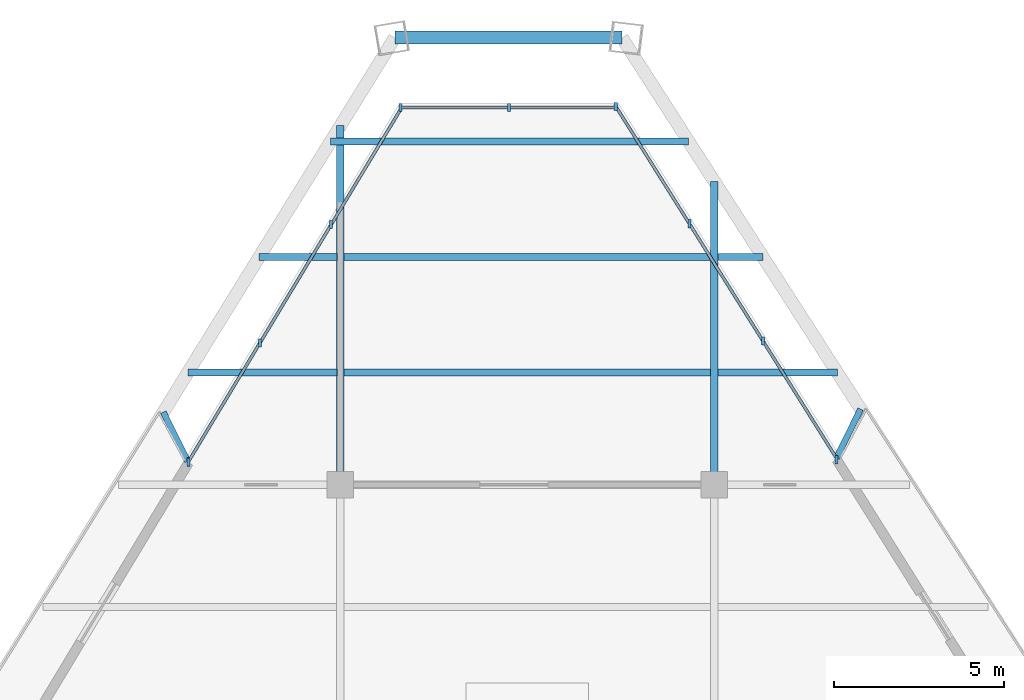
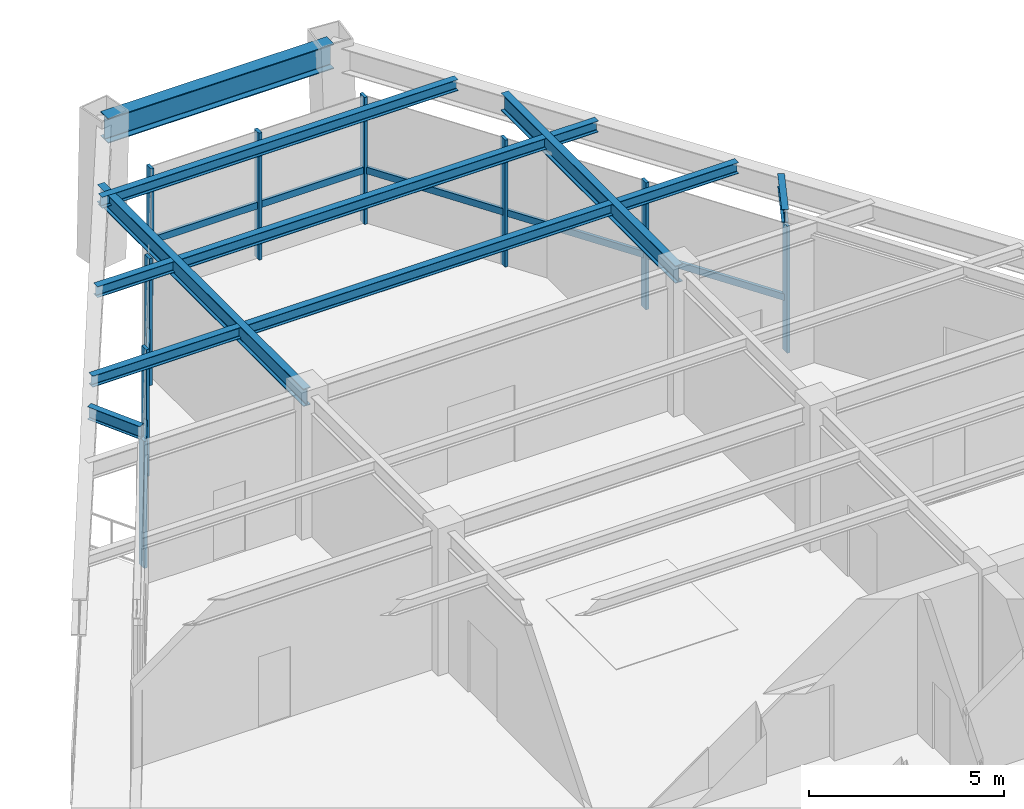
# One storey, part 5 of 11: 18 members, 12 beams, 3 elements without a shape of their own.
"""IFC4 building model written with IfcOpenShell, lengths in metres."""

from ifc_helpers import new_model, si_unit, direction, frame, origin, origin_2d, place, context, subcontext, project, spatial, rectangle, i_section, extrude, source, transform, mapped, material, material_profile, profile_set, type_object, element, aggregate, save


model = new_model("IFC4")

# Units and contexts
model_context = context("Model", 3, precision=1e-05, world=origin(), true_north=direction((0.0, 1.0)))
body_context = subcontext(model_context, "Body", "Model", "MODEL_VIEW")
ifc_project = project(units=[si_unit("LENGTHUNIT", "METRE"), si_unit("AREAUNIT", "SQUARE_METRE"), si_unit("VOLUMEUNIT", "CUBIC_METRE"), si_unit("PLANEANGLEUNIT", "RADIAN"), si_unit("MASSUNIT", "GRAM", prefix="KILO")], contexts=[model_context])

# Site, building, storey
site_placement = place(None, origin())
site = spatial("IfcSite", under=ifc_project, at=site_placement, CompositionType="ELEMENT")
building_placement = place(site_placement, origin())
building = spatial("IfcBuilding", under=site, at=building_placement, Name="Varnakhor Terracotta Tower", CompositionType="ELEMENT")
storey_placement = place(building_placement, frame((0.0, 0.0, 215.39990234375)))
storey = spatial("IfcBuildingStorey", under=building, at=storey_placement, Name="L55", CompositionType="ELEMENT", Elevation=215.39990234375)

# Beams
ifc_material_1 = material(Name="Steel S355", Category="steel")
ifc_material_profile_1 = material_profile(ifc_material_1, i_section(OverallWidth=0.381103515625, OverallDepth=0.77294921875, WebThickness=0.01708984375, FlangeThickness=0.027099609375, FilletRadius=0.01806640625, at=origin_2d()), Name="W30X173")
ifc_profile_set_1 = profile_set([ifc_material_profile_1], Name="Steel S355")
beam_type_1 = type_object("IfcBeamType", Name="BM-W30X173", PredefinedType="BEAM", material=ifc_profile_set_1)
shared_shape_1 = source(origin(), body_context, "Body", "SweptSolid", [
    extrude(i_section(OverallWidth=0.381103515625, OverallDepth=0.77294921875, WebThickness=0.01708984375, FlangeThickness=0.027099609375, FilletRadius=0.01806640625, at=origin_2d()), origin(), (0.0, 0.0, 1.0), 6.681884765625),
])
beam_1_placement = place(storey_placement, frame((2.783203125, 44.65478515625, 4.003662109375), z_axis=(-1.0, 0.0, 0.0), x_axis=(0.0, -1.0, 0.0)))
element("IfcBeam", 1, at=beam_1_placement, inside=storey, type_object=beam_type_1, Name="L55 Perimeter Spandrel 5", PredefinedType="BEAM", context=body_context, shape_type="MappedRepresentation", body=[
    mapped(shared_shape_1, transform((0.0, 0.0, 0.0), scale=1.0)),
])
ifc_material_profile_2 = material_profile(ifc_material_1, i_section(OverallWidth=0.214111328125, OverallDepth=0.549072265625, WebThickness=0.014892578125, FlangeThickness=0.02392578125, FilletRadius=0.01806640625, at=origin_2d()), Name="W21X93")
ifc_profile_set_2 = profile_set([ifc_material_profile_2], Name="Steel S355")
beam_type_2 = type_object("IfcBeamType", Name="BM-W21X93", PredefinedType="BEAM", material=ifc_profile_set_2)
shared_shape_2 = source(origin(), body_context, "Body", "SweptSolid", [
    extrude(i_section(OverallWidth=0.214111328125, OverallDepth=0.549072265625, WebThickness=0.014892578125, FlangeThickness=0.02392578125, FilletRadius=0.01806640625, at=origin_2d()), origin(), (0.0, 0.0, 1.0), 10.56396484375),
])
beam_2_placement = place(storey_placement, frame((-5.5, 31.5, 4.115478515625), z_axis=(0.0, 1.0, 0.0), x_axis=(-1.0, 0.0, 0.0)))
element("IfcBeam", 2, at=beam_2_placement, inside=storey, type_object=beam_type_2, Name="L55 Primary Girder NS3-W", PredefinedType="BEAM", context=body_context, shape_type="MappedRepresentation", body=[
    mapped(shared_shape_2, transform((0.0, 0.0, 0.0), scale=1.0)),
])
shared_shape_3 = source(origin(), body_context, "Body", "SweptSolid", [
    extrude(i_section(OverallWidth=0.214111328125, OverallDepth=0.549072265625, WebThickness=0.014892578125, FlangeThickness=0.02392578125, FilletRadius=0.01806640625, at=origin_2d()), origin(), (0.0, 0.0, 1.0), 8.929443359375),
])
beam_3_placement = place(storey_placement, frame((5.5, 31.5, 4.115478515625), z_axis=(0.0, 1.0, 0.0), x_axis=(-1.0, 0.0, 0.0)))
element("IfcBeam", 3, at=beam_3_placement, inside=storey, type_object=beam_type_2, Name="L55 Primary Girder NS3-E", PredefinedType="BEAM", context=body_context, shape_type="MappedRepresentation", body=[
    mapped(shared_shape_3, transform((0.0, 0.0, 0.0), scale=1.0)),
])
ifc_material_profile_3 = material_profile(ifc_material_1, i_section(OverallWidth=0.202880859375, OverallDepth=0.346923828125, WebThickness=0.0078125, FlangeThickness=0.013427734375, FilletRadius=0.01806640625, at=origin_2d()), Name="W14X43")
ifc_profile_set_3 = profile_set([ifc_material_profile_3], Name="Steel S355")
beam_type_3 = type_object("IfcBeamType", Name="JST-W14X43", PredefinedType="JOIST", material=ifc_profile_set_3)
shared_shape_4 = source(origin(), body_context, "Body", "SweptSolid", [
    extrude(i_section(OverallWidth=0.202880859375, OverallDepth=0.346923828125, WebThickness=0.0078125, FlangeThickness=0.013427734375, FilletRadius=0.01806640625, at=origin_2d()), origin(), (0.0, 0.0, 1.0), 10.7939453125),
])
for number, where, z_axis, x_axis, name in (
    (4, (-5.39697265625, 34.800048828125, 4.216552734375), (1.0, 0.0, 0.0), (0.0, 1.0, 0.0), "L55 Composite Floor Joist 7-2"),
    (5, (-5.39697265625, 38.199951171875, 4.216552734375), (1.0, 0.0, 0.0), (0.0, 1.0, 0.0), "L55 Composite Floor Joist 8-2"),
):
    element("IfcBeam", number, at=place(storey_placement, frame(where, z_axis=z_axis, x_axis=x_axis)), inside=storey, type_object=beam_type_3, Name=name, PredefinedType="JOIST", context=body_context, shape_type="MappedRepresentation", body=[
        mapped(shared_shape_4, transform((0.0, 0.0, 0.0), scale=1.0)),
    ])
shared_shape_5 = source(origin(), body_context, "Body", "SweptSolid", [
    extrude(i_section(OverallWidth=0.202880859375, OverallDepth=0.346923828125, WebThickness=0.0078125, FlangeThickness=0.013427734375, FilletRadius=0.01806640625, at=origin_2d()), origin(), (0.0, 0.0, 1.0), 4.38623046875),
])
beam_4_placement = place(storey_placement, frame((-9.9892578125, 34.800048828125, 4.216552734375), z_axis=(1.0, 0.0, 0.0), x_axis=(0.0, 1.0, 0.0)))
element("IfcBeam", 6, at=beam_4_placement, inside=storey, type_object=beam_type_3, Name="L55 Composite Floor Joist 7-1", PredefinedType="JOIST", context=body_context, shape_type="MappedRepresentation", body=[
    mapped(shared_shape_5, transform((0.0, 0.0, 0.0), scale=1.0)),
])
shared_shape_6 = source(origin(), body_context, "Body", "SweptSolid", [
    extrude(i_section(OverallWidth=0.202880859375, OverallDepth=0.346923828125, WebThickness=0.0078125, FlangeThickness=0.013427734375, FilletRadius=0.01806640625, at=origin_2d()), origin(), (0.0, 0.0, 1.0), 3.5166015625),
])
beam_5_placement = place(storey_placement, frame((5.60302734375, 34.800048828125, 4.216552734375), z_axis=(1.0, 0.0, 0.0), x_axis=(0.0, 1.0, 0.0)))
element("IfcBeam", 7, at=beam_5_placement, inside=storey, type_object=beam_type_3, Name="L55 Composite Floor Joist 7-3", PredefinedType="JOIST", context=body_context, shape_type="MappedRepresentation", body=[
    mapped(shared_shape_6, transform((0.0, 0.0, 0.0), scale=1.0)),
])
shared_shape_7 = source(origin(), body_context, "Body", "SweptSolid", [
    extrude(i_section(OverallWidth=0.202880859375, OverallDepth=0.346923828125, WebThickness=0.0078125, FlangeThickness=0.013427734375, FilletRadius=0.01806640625, at=origin_2d()), origin(), (0.0, 0.0, 1.0), 2.284912109375),
])
beam_6_placement = place(storey_placement, frame((-7.887939453125, 38.199951171875, 4.216552734375), z_axis=(1.0, 0.0, 0.0), x_axis=(0.0, 1.0, 0.0)))
element("IfcBeam", 8, at=beam_6_placement, inside=storey, type_object=beam_type_3, Name="L55 Composite Floor Joist 8-1", PredefinedType="JOIST", context=body_context, shape_type="MappedRepresentation", body=[
    mapped(shared_shape_7, transform((0.0, 0.0, 0.0), scale=1.0)),
])
shared_shape_8 = source(origin(), body_context, "Body", "SweptSolid", [
    extrude(i_section(OverallWidth=0.202880859375, OverallDepth=0.346923828125, WebThickness=0.0078125, FlangeThickness=0.013427734375, FilletRadius=0.01806640625, at=origin_2d()), origin(), (0.0, 0.0, 1.0), 1.33056640625),
])
beam_7_placement = place(storey_placement, frame((5.60302734375, 38.199951171875, 4.216552734375), z_axis=(1.0, 0.0, 0.0), x_axis=(0.0, 1.0, 0.0)))
element("IfcBeam", 9, at=beam_7_placement, inside=storey, type_object=beam_type_3, Name="L55 Composite Floor Joist 8-3", PredefinedType="JOIST", context=body_context, shape_type="MappedRepresentation", body=[
    mapped(shared_shape_8, transform((0.0, 0.0, 0.0), scale=1.0)),
])
shared_shape_9 = source(origin(), body_context, "Body", "SweptSolid", [
    extrude(i_section(OverallWidth=0.202880859375, OverallDepth=0.346923828125, WebThickness=0.0078125, FlangeThickness=0.013427734375, FilletRadius=0.01806640625, at=origin_2d()), origin(), (0.0, 0.0, 1.0), 10.5341796875),
])
beam_8_placement = place(storey_placement, frame((-5.786865234375, 41.60009765625, 4.216552734375), z_axis=(1.0, 0.0, 0.0), x_axis=(0.0, 1.0, 0.0)))
element("IfcBeam", 10, at=beam_8_placement, inside=storey, type_object=beam_type_3, Name="L55 Composite Floor Joist 9-1", PredefinedType="JOIST", context=body_context, shape_type="MappedRepresentation", body=[
    mapped(shared_shape_9, transform((0.0, 0.0, 0.0), scale=1.0)),
])
ifc_material_profile_4 = material_profile(ifc_material_1, i_section(OverallWidth=0.179931640625, OverallDepth=0.39990234375, WebThickness=0.008544921875, FlangeThickness=0.013427734375, FilletRadius=0.01806640625, at=origin_2d()), Name="IPE400")
ifc_profile_set_4 = profile_set([ifc_material_profile_4], Name="Steel S355")
beam_type_4 = type_object("IfcBeamType", Name="JST-IPE400", PredefinedType="JOIST", material=ifc_profile_set_4)
shared_shape_10 = source(origin(), body_context, "Body", "SweptSolid", [
    extrude(i_section(OverallWidth=0.179931640625, OverallDepth=0.39990234375, WebThickness=0.008544921875, FlangeThickness=0.013427734375, FilletRadius=0.01806640625, at=origin_2d()), origin(), (0.0, 0.0, 1.0), 1.6162109375),
])
beam_9_placement = place(storey_placement, frame((-9.989990234375, 32.188232421875, 4.190185546875), z_axis=(-0.444553062728, 0.895752518511, 0.0), x_axis=(-0.895752518511, -0.444553062728, 0.0)))
element("IfcBeam", 11, at=beam_9_placement, inside=storey, type_object=beam_type_4, Name="L56 W Loggia Tie Beam 2", PredefinedType="JOIST", context=body_context, shape_type="MappedRepresentation", body=[
    mapped(shared_shape_10, transform((0.0, 0.0, 0.0), scale=1.0)),
])

# Curtain wall, members
ifc_material_2 = material(Name="Anodised Aluminium Curtain Wall System", Category="aluminium")
curtain_wall_type = type_object("IfcCurtainWallType", Name="CW-SYS-SKYLOBBY", PredefinedType="NOTDEFINED", material=ifc_material_2)
curtain_wall_1_placement = place(storey_placement, origin())
curtain_wall_1 = element("IfcCurtainWall", 12, at=curtain_wall_1_placement, inside=storey, type_object=curtain_wall_type, Name="L55 W Facet Curtain Wall 2", PredefinedType="NOTDEFINED")
ifc_material_3 = material(Name="Anodised Aluminium 6063-T6", Category="aluminium")
ifc_material_profile_5 = material_profile(ifc_material_3, rectangle(XDim=0.090087890625, YDim=0.239990234375, at=origin_2d()), Name="ALU MULLION 90x240")
ifc_profile_set_5 = profile_set([ifc_material_profile_5], Name="Anodised Aluminium 6063-T6")
member_type_1 = type_object("IfcMemberType", Name="CWM-05", PredefinedType="MULLION", material=ifc_profile_set_5)
shared_shape_11 = source(origin(), body_context, "Body", "SweptSolid", [
    extrude(rectangle(XDim=0.090087890625, YDim=0.239990234375, at=origin_2d()), origin(), (0.0, 0.0, 1.0), 3.97021484375),
])
member_1_placement = place(storey_placement, frame((-9.965576171875, 32.1884765625, 0.0), z_axis=(0.0, 0.0, 1.0), x_axis=(1.0, 0.0, 0.0)))
member_1 = element("IfcMember", 13, at=member_1_placement, type_object=member_type_1, Name="L55 W Facet Curtain Wall 2 Mullion 1", PredefinedType="MULLION", context=body_context, shape_type="MappedRepresentation", body=[
    mapped(shared_shape_11, transform((0.0, 0.0, 0.0), scale=1.0)),
])
member_2_placement = place(storey_placement, frame((-7.86767578125, 35.670654296875, 0.0), z_axis=(0.0, 0.0, 1.0), x_axis=(1.0, 0.0, 0.0)))
member_2 = element("IfcMember", 14, at=member_2_placement, type_object=member_type_1, Name="L55 W Facet Curtain Wall 2 Mullion 2", PredefinedType="MULLION", context=body_context, shape_type="MappedRepresentation", body=[
    mapped(shared_shape_11, transform((0.0, 0.0, 0.0), scale=1.0)),
])
member_3_placement = place(storey_placement, frame((-5.769775390625, 39.152587890625, 0.0), z_axis=(0.0, 0.0, 1.0), x_axis=(1.0, 0.0, 0.0)))
member_3 = element("IfcMember", 15, at=member_3_placement, type_object=member_type_1, Name="L55 W Facet Curtain Wall 2 Mullion 3", PredefinedType="MULLION", context=body_context, shape_type="MappedRepresentation", body=[
    mapped(shared_shape_11, transform((0.0, 0.0, 0.0), scale=1.0)),
])
member_4_placement = place(storey_placement, frame((-9.9638671875, 32.15234375, 0.0), z_axis=(0.0, 0.0, 1.0), x_axis=(1.0, 0.0, 0.0)))
member_4 = element("IfcMember", 16, at=member_4_placement, type_object=member_type_1, Name="L55 W Loggia Jamb Closure Mullion 2", PredefinedType="MULLION", context=body_context, shape_type="MappedRepresentation", body=[
    mapped(shared_shape_11, transform((0.0, 0.0, 0.0), scale=1.0)),
])

curtain_wall_2_placement = place(storey_placement, origin())
curtain_wall_2 = element("IfcCurtainWall", 17, at=curtain_wall_2_placement, inside=storey, type_object=curtain_wall_type, Name="L55 Facet Curtain Wall 2", PredefinedType="NOTDEFINED")
member_5_placement = place(storey_placement, frame((-3.72900390625, 42.6025390625, 0.0), z_axis=(0.0, 0.0, 1.0), x_axis=(1.0, 0.0, 0.0)))
member_5 = element("IfcMember", 18, at=member_5_placement, type_object=member_type_1, Name="L55 Facet Curtain Wall 2 Mullion 1", PredefinedType="MULLION", context=body_context, shape_type="MappedRepresentation", body=[
    mapped(shared_shape_11, transform((0.0, 0.0, 0.0), scale=1.0)),
])
member_6_placement = place(storey_placement, frame((-0.53564453125, 42.6025390625, 0.0), z_axis=(0.0, 0.0, 1.0), x_axis=(1.0, 0.0, 0.0)))
member_6 = element("IfcMember", 19, at=member_6_placement, type_object=member_type_1, Name="L55 Facet Curtain Wall 2 Mullion 2", PredefinedType="MULLION", context=body_context, shape_type="MappedRepresentation", body=[
    mapped(shared_shape_11, transform((0.0, 0.0, 0.0), scale=1.0)),
])

curtain_wall_3_placement = place(storey_placement, origin())
curtain_wall_3 = element("IfcCurtainWall", 20, at=curtain_wall_3_placement, inside=storey, type_object=curtain_wall_type, Name="L55 E Facet Curtain Wall 1", PredefinedType="NOTDEFINED")
member_7_placement = place(storey_placement, frame((2.60205078125, 42.63330078125, 0.0), z_axis=(0.0, 0.0, 1.0), x_axis=(1.0, 0.0, 0.0)))
member_7 = element("IfcMember", 21, at=member_7_placement, type_object=member_type_1, Name="L55 E Facet Curtain Wall 1 Mullion 1", PredefinedType="MULLION", context=body_context, shape_type="MappedRepresentation", body=[
    mapped(shared_shape_11, transform((0.0, 0.0, 0.0), scale=1.0)),
])
member_8_placement = place(storey_placement, frame((4.76904296875, 39.18017578125, 0.0), z_axis=(0.0, 0.0, 1.0), x_axis=(1.0, 0.0, 0.0)))
member_8 = element("IfcMember", 22, at=member_8_placement, type_object=member_type_1, Name="L55 E Facet Curtain Wall 1 Mullion 2", PredefinedType="MULLION", context=body_context, shape_type="MappedRepresentation", body=[
    mapped(shared_shape_11, transform((0.0, 0.0, 0.0), scale=1.0)),
])
member_9_placement = place(storey_placement, frame((6.936279296875, 35.726806640625, 0.0), z_axis=(0.0, 0.0, 1.0), x_axis=(1.0, 0.0, 0.0)))
member_9 = element("IfcMember", 23, at=member_9_placement, type_object=member_type_1, Name="L55 E Facet Curtain Wall 1 Mullion 3", PredefinedType="MULLION", context=body_context, shape_type="MappedRepresentation", body=[
    mapped(shared_shape_11, transform((0.0, 0.0, 0.0), scale=1.0)),
])
member_10_placement = place(storey_placement, frame((9.102294921875, 32.23779296875, 0.0), z_axis=(0.0, 0.0, 1.0), x_axis=(1.0, 0.0, 0.0)))
member_10 = element("IfcMember", 24, at=member_10_placement, type_object=member_type_1, Name="L55 E Loggia Jamb Closure Mullion 1", PredefinedType="MULLION", context=body_context, shape_type="MappedRepresentation", body=[
    mapped(shared_shape_11, transform((0.0, 0.0, 0.0), scale=1.0)),
])

# Member
ifc_material_profile_6 = material_profile(ifc_material_3, rectangle(XDim=0.090087890625, YDim=0.2099609375, at=origin_2d()), Name="ALU TRANSOM 90x210")
ifc_profile_set_6 = profile_set([ifc_material_profile_6], Name="Anodised Aluminium 6063-T6")
member_type_2 = type_object("IfcMemberType", Name="CWT-05", PredefinedType="USERDEFINED", material=ifc_profile_set_6)
shared_shape_12 = source(origin(), body_context, "Body", "SweptSolid", [
    extrude(rectangle(XDim=0.090087890625, YDim=0.2099609375, at=origin_2d()), origin(), (0.0, 0.0, 1.0), 4.065185546875),
])
member_11_placement = place(storey_placement, frame((-7.86767578125, 35.670654296875, 1.66748046875), z_axis=(0.516075811633, 0.856542909986, 0.0), x_axis=(-0.856542909986, 0.516075811633, 0.0)))
member_11 = element("IfcMember", 25, at=member_11_placement, type_object=member_type_2, Name="L55 W Facet Curtain Wall 2 Transom 2", ObjectType="TRANSOM", PredefinedType="USERDEFINED", context=body_context, shape_type="MappedRepresentation", body=[
    mapped(shared_shape_12, transform((0.0, 0.0, 0.0), scale=1.0)),
])

shared_shape_13 = source(origin(), body_context, "Body", "SweptSolid", [
    extrude(rectangle(XDim=0.090087890625, YDim=0.2099609375, at=origin_2d()), origin(), (0.0, 0.0, 1.0), 4.0654296875),
])
member_12_placement = place(storey_placement, frame((-9.965576171875, 32.1884765625, 1.66748046875), z_axis=(0.516049264781, 0.856558904174, 0.0), x_axis=(-0.856558904174, 0.516049264781, 0.0)))
member_12 = element("IfcMember", 26, at=member_12_placement, type_object=member_type_2, Name="L55 W Facet Curtain Wall 2 Transom 1", ObjectType="TRANSOM", PredefinedType="USERDEFINED", context=body_context, shape_type="MappedRepresentation", body=[
    mapped(shared_shape_13, transform((0.0, 0.0, 0.0), scale=1.0)),
])

member_13_placement = place(storey_placement, frame((-5.769775390625, 39.152587890625, 1.66748046875), z_axis=(0.516022720164, 0.856574895894, 0.0), x_axis=(-0.856574895894, 0.516022720164, 0.0)))
member_13 = element("IfcMember", 27, at=member_13_placement, type_object=member_type_2, Name="L55 W Facet Curtain Wall 2 Transom 3", ObjectType="TRANSOM", PredefinedType="USERDEFINED", context=body_context, shape_type="MappedRepresentation", body=[
    mapped(shared_shape_13, transform((0.0, 0.0, 0.0), scale=1.0)),
])

aggregate(curtain_wall_1, [member_1, member_12, member_2, member_11, member_3, member_13, member_4])

shared_shape_14 = source(origin(), body_context, "Body", "SweptSolid", [
    extrude(rectangle(XDim=0.090087890625, YDim=0.2099609375, at=origin_2d()), origin(), (0.0, 0.0, 1.0), 3.193359375),
])
member_14_placement = place(storey_placement, frame((-3.72900390625, 42.6025390625, 1.66748046875), z_axis=(1.0, 0.0, 0.0), x_axis=(0.0, 1.0, 0.0)))
member_14 = element("IfcMember", 28, at=member_14_placement, type_object=member_type_2, Name="L55 Facet Curtain Wall 2 Transom 1", ObjectType="TRANSOM", PredefinedType="USERDEFINED", context=body_context, shape_type="MappedRepresentation", body=[
    mapped(shared_shape_14, transform((0.0, 0.0, 0.0), scale=1.0)),
])

member_15_placement = place(storey_placement, frame((-0.53564453125, 42.6025390625, 1.66748046875), z_axis=(1.0, 0.0, 0.0), x_axis=(0.0, 1.0, 0.0)))
member_15 = element("IfcMember", 29, at=member_15_placement, type_object=member_type_2, Name="L55 Facet Curtain Wall 2 Transom 2", ObjectType="TRANSOM", PredefinedType="USERDEFINED", context=body_context, shape_type="MappedRepresentation", body=[
    mapped(shared_shape_14, transform((0.0, 0.0, 0.0), scale=1.0)),
])

aggregate(curtain_wall_2, [member_5, member_14, member_6, member_15])

shared_shape_15 = source(origin(), body_context, "Body", "SweptSolid", [
    extrude(rectangle(XDim=0.090087890625, YDim=0.2099609375, at=origin_2d()), origin(), (0.0, 0.0, 1.0), 4.07666015625),
])
member_16_placement = place(storey_placement, frame((2.60205078125, 42.63330078125, 1.66748046875), z_axis=(0.531548362189, -0.847027944435, 0.0), x_axis=(0.847027944435, 0.531548362189, 0.0)))
member_16 = element("IfcMember", 30, at=member_16_placement, type_object=member_type_2, Name="L55 E Facet Curtain Wall 1 Transom 1", ObjectType="TRANSOM", PredefinedType="USERDEFINED", context=body_context, shape_type="MappedRepresentation", body=[
    mapped(shared_shape_15, transform((0.0, 0.0, 0.0), scale=1.0)),
])

member_17_placement = place(storey_placement, frame((6.936279296875, 35.726806640625, 1.66748046875), z_axis=(0.531548362189, -0.847027944435, 0.0), x_axis=(0.847027944435, 0.531548362189, 0.0)))
member_17 = element("IfcMember", 31, at=member_17_placement, type_object=member_type_2, Name="L55 E Facet Curtain Wall 1 Transom 3", ObjectType="TRANSOM", PredefinedType="USERDEFINED", context=body_context, shape_type="MappedRepresentation", body=[
    mapped(shared_shape_15, transform((0.0, 0.0, 0.0), scale=1.0)),
])

shared_shape_16 = source(origin(), body_context, "Body", "SweptSolid", [
    extrude(rectangle(XDim=0.090087890625, YDim=0.2099609375, at=origin_2d()), origin(), (0.0, 0.0, 1.0), 4.0771484375),
])
member_18_placement = place(storey_placement, frame((4.76904296875, 39.18017578125, 1.66748046875), z_axis=(0.531564363518, -0.847017902666, 0.0), x_axis=(0.847017902666, 0.531564363518, 0.0)))
member_18 = element("IfcMember", 32, at=member_18_placement, type_object=member_type_2, Name="L55 E Facet Curtain Wall 1 Transom 2", ObjectType="TRANSOM", PredefinedType="USERDEFINED", context=body_context, shape_type="MappedRepresentation", body=[
    mapped(shared_shape_16, transform((0.0, 0.0, 0.0), scale=1.0)),
])

aggregate(curtain_wall_3, [member_7, member_16, member_8, member_18, member_9, member_17, member_10])

# Beam
shared_shape_17 = source(origin(), body_context, "Body", "SweptSolid", [
    extrude(i_section(OverallWidth=0.179931640625, OverallDepth=0.39990234375, WebThickness=0.008544921875, FlangeThickness=0.013427734375, FilletRadius=0.01806640625, at=origin_2d()), origin(), (0.0, 0.0, 1.0), 1.617919921875),
])
beam_10_placement = place(storey_placement, frame((9.093505859375, 32.278076171875, 4.190185546875), z_axis=(0.441652260247, 0.897186313437, 0.0), x_axis=(-0.897186313437, 0.441652260247, 0.0)))
element("IfcBeam", 33, at=beam_10_placement, inside=storey, type_object=beam_type_4, Name="L56 E Loggia Tie Beam 1", PredefinedType="JOIST", context=body_context, shape_type="MappedRepresentation", body=[
    mapped(shared_shape_17, transform((0.0, 0.0, 0.0), scale=1.0)),
])

save(model, "model.ifc")
